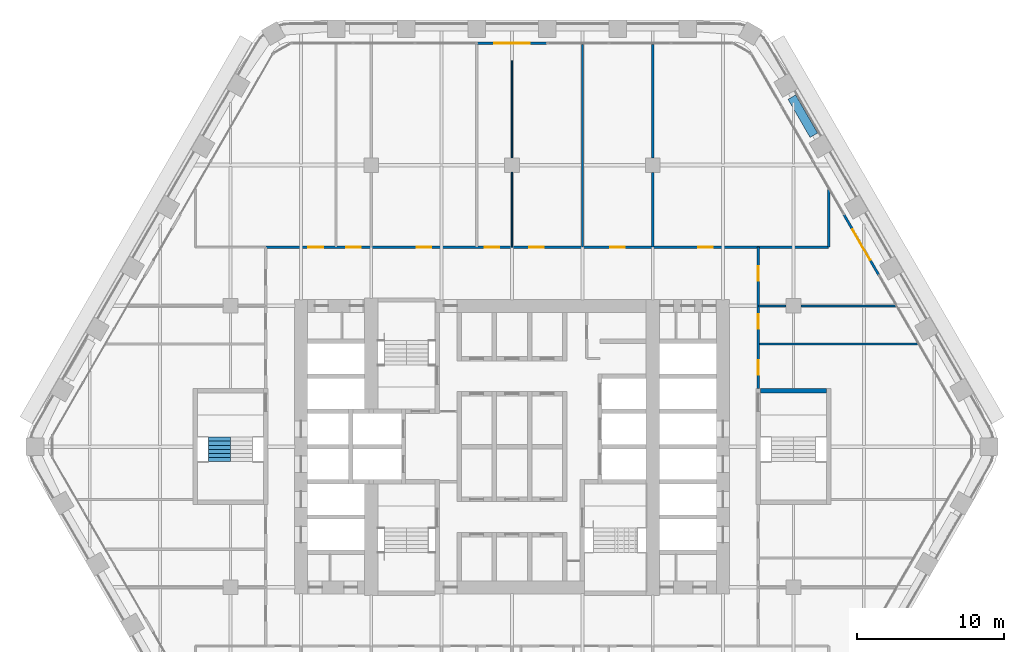
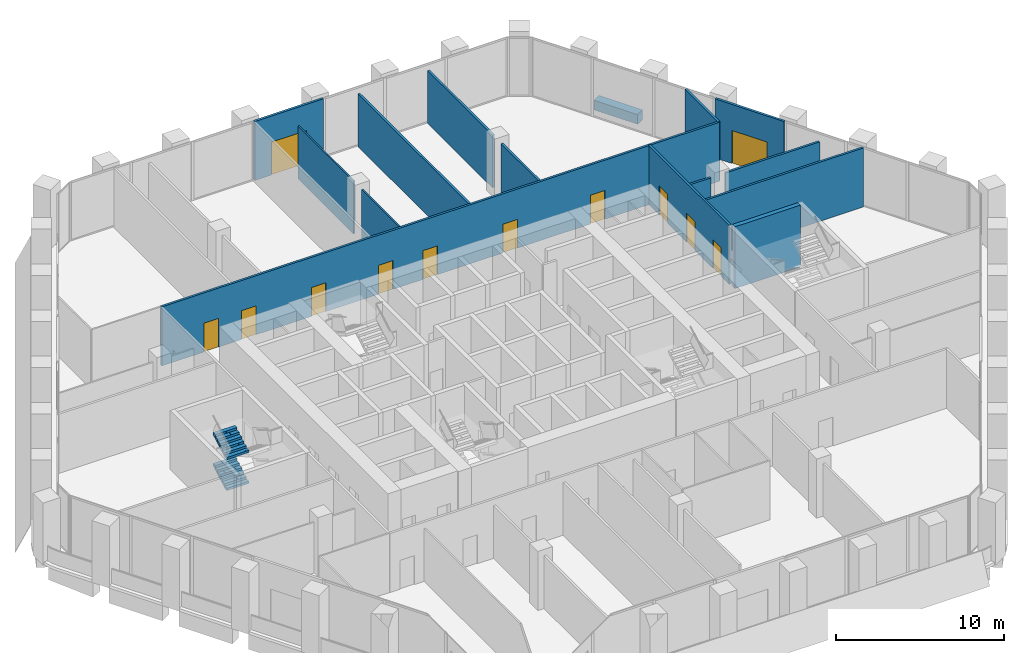
# One storey, part 17 of 23: 15 walls, 12 doors, 2 stair flights, 12 openings, 1 element without a shape of its own.
"""IFC4 building model written with IfcOpenShell, lengths in metres."""

import ifcopenshell
import ifcopenshell.guid

model = None  # the IFC model being written
_history = None  # IfcOwnerHistory: only IFC2X3 demands one
_inside = {}  # id of a spatial element -> (the spatial element, [elements in it])
_under = {}  # id of a project, library or spatial element -> (it, [spatial elements below it])
_declared = {}  # id of a project -> (the project, [libraries it declares])
_typed = {}  # id of a type object -> (the type object, [elements of that type])
_made_of = {}  # id of a material, layer set ... -> (it, [elements and type objects made of it])


def new_model(schema):
    """Start an empty IFC model of exactly this schema.

    Asked for "IFC4X3", IfcOpenShell would pick the latest addendum, in which some entities
    have other attributes; the version numbers below select the first issue.
    IFC2X3 requires an IfcOwnerHistory on every rooted entity: one is made here for all.
    """
    global model, _history
    if schema == "IFC4X3":
        model = ifcopenshell.file(schema_version=(4, 3, 0, 0))
    else:
        model = ifcopenshell.file(schema=schema)
    _inside.clear()
    _under.clear()
    _declared.clear()
    _typed.clear()
    _made_of.clear()
    _history = None
    if model.schema == "IFC2X3":
        org = make("IfcOrganization", Name="unknown")
        user = make(
            "IfcPersonAndOrganization",
            ThePerson=make("IfcPerson", FamilyName="unknown"),
            TheOrganization=org,
        )
        app = make(
            "IfcApplication",
            ApplicationDeveloper=org,
            Version="unknown",
            ApplicationFullName="unknown",
            ApplicationIdentifier="unknown",
        )
        _history = make(
            "IfcOwnerHistory",
            OwningUser=user,
            OwningApplication=app,
            ChangeAction="ADDED",
            CreationDate=0,
        )
    return model


def make(cls, **values):
    """One entity of the class cls with the attributes given. An attribute that is None is left unset."""
    return model.create_entity(
        cls, **{name: value for name, value in values.items() if value is not None}
    )


def rooted(cls, **values):
    """An entity with a GlobalId (a new one), such as an element, a storey or a relation."""
    return make(cls, GlobalId=ifcopenshell.guid.new(), OwnerHistory=_history, **values)


def si_unit(unit_type, name, prefix=None):
    """IfcSIUnit, for example si_unit("LENGTHUNIT", "METRE", prefix="MILLI")."""
    return make("IfcSIUnit", UnitType=unit_type, Prefix=prefix, Name=name)


def assignment(units):
    """IfcUnitAssignment: the units of a project."""
    return None if units is None else make("IfcUnitAssignment", Units=units)


def point(xyz):
    """IfcCartesianPoint."""
    return None if xyz is None else make("IfcCartesianPoint", Coordinates=xyz)


def direction(xyz):
    """IfcDirection."""
    return None if xyz is None else make("IfcDirection", DirectionRatios=xyz)


def frame(location, z_axis=None, x_axis=None):
    """IfcAxis2Placement3D, a coordinate frame: its origin and axes. An axis left out is left unset."""
    return make(
        "IfcAxis2Placement3D",
        Location=point(location),
        Axis=direction(z_axis),
        RefDirection=direction(x_axis),
    )


def frame_2d(location, x_axis=None):
    """IfcAxis2Placement2D, a coordinate frame in the plane: its origin and x axis."""
    return make(
        "IfcAxis2Placement2D", Location=point(location), RefDirection=direction(x_axis)
    )


def origin():
    """The frame at (0, 0, 0) with its axes left unset."""
    return frame((0.0, 0.0, 0.0))


def place(relative_to, where):
    """IfcLocalPlacement: puts the frame where relative to a parent placement (None: the world)."""
    return make(
        "IfcLocalPlacement", PlacementRelTo=relative_to, RelativePlacement=where
    )


def context(
    kind, dimensions, precision=None, world=None, true_north=None, identifier=None
):
    """IfcGeometricRepresentationContext, for example the 3D "Model" context."""
    return make(
        "IfcGeometricRepresentationContext",
        ContextIdentifier=identifier,
        ContextType=kind,
        CoordinateSpaceDimension=dimensions,
        Precision=precision,
        WorldCoordinateSystem=world,
        TrueNorth=true_north,
    )


def subcontext(parent, identifier, kind, view, scale=None):
    """IfcGeometricRepresentationSubContext, for example "Body" below "Model"."""
    return make(
        "IfcGeometricRepresentationSubContext",
        ContextIdentifier=identifier,
        ContextType=kind,
        ParentContext=parent,
        TargetScale=scale,
        TargetView=view,
    )


def project(units=None, contexts=None):
    """IfcProject with its units and contexts."""
    return rooted(
        "IfcProject",
        Name="project",
        RepresentationContexts=contexts,
        UnitsInContext=assignment(units),
    )


def spatial(cls, under=None, at=None, **own):
    """A site, building, storey or space (cls), placed at a placement, below another one or the project."""
    s = rooted(cls, ObjectPlacement=at, **own)
    if under is not None:
        _under.setdefault(under.id(), (under, []))[1].append(s)
    return s


def polyline(points):
    """IfcPolyline through the points."""
    return make("IfcPolyline", Points=[point(p) for p in points])


def profile(cls, at=None, kind="AREA", **sizes):
    """A parametric profile (cls). Its sizes go by their IFC names, for example OverallWidth=200.0."""
    return make(cls, ProfileType=kind, Position=at, **sizes)


def rectangle(**sizes):
    """IfcRectangleProfileDef."""
    return profile("IfcRectangleProfileDef", **sizes)


def outline(outer, holes=None, kind="AREA"):
    """IfcArbitraryClosedProfileDef: a profile drawn as a closed curve; with holes, ...WithVoids."""
    if holes is None:
        return make("IfcArbitraryClosedProfileDef", ProfileType=kind, OuterCurve=outer)
    return make(
        "IfcArbitraryProfileDefWithVoids",
        ProfileType=kind,
        OuterCurve=outer,
        InnerCurves=holes,
    )


def extrude(swept, where, along, depth):
    """IfcExtrudedAreaSolid: the profile swept, set in the frame where, extruded along a direction by depth."""
    return make(
        "IfcExtrudedAreaSolid",
        SweptArea=swept,
        Position=where,
        ExtrudedDirection=direction(along),
        Depth=depth,
    )


def shape(context_of_items, identifier, shape_type, items):
    """IfcShapeRepresentation: the items that make up one representation, for example the "Body"."""
    return make(
        "IfcShapeRepresentation",
        ContextOfItems=context_of_items,
        RepresentationIdentifier=identifier,
        RepresentationType=shape_type,
        Items=items,
    )


def material(Name=None, Category=None):
    """IfcMaterial."""
    return make("IfcMaterial", Name=Name, Category=Category)


def layer(
    of_material, thickness, ventilated=None, Name=None, Category=None, Priority=None
):
    """IfcMaterialLayer: one layer of a wall or slab, of a material (None: an air gap)."""
    return make(
        "IfcMaterialLayer",
        Material=of_material,
        LayerThickness=thickness,
        IsVentilated=ventilated,
        Name=Name,
        Category=Category,
        Priority=Priority,
    )


def layer_set(layers, Name=None):
    """IfcMaterialLayerSet."""
    return make("IfcMaterialLayerSet", MaterialLayers=layers, LayerSetName=Name)


def made_of(thing, what):
    """Note that an element or type object is made of a material, layer set ...; save() writes the relation."""
    if what is not None:
        _made_of.setdefault(what.id(), (what, []))[1].append(thing)
    return thing


def type_object(cls, material=None, **own):
    """A type object (cls), such as IfcWallType, which elements share."""
    return made_of(rooted(cls, **own), material)


def element(
    cls,
    number,
    at=None,
    inside=None,
    cuts=None,
    type_object=None,
    material=None,
    context=None,
    identifier="Body",
    shape_type=None,
    held_by="IfcProductDefinitionShape",
    body=None,
    shapes=None,
    **own,
):
    """One element of the class cls, such as IfcWall. Its Tag is "e" and its number.

    at: its placement. inside: the storey or other place that contains it. cuts: it is an
    opening in that element (IfcRelVoidsElement). A single representation is given by context,
    identifier, shape_type and body (its items); several are given by shapes. held_by: the class
    of the entity that holds the representations. save() writes the other relations.
    """
    e = rooted(cls, Tag="e%d" % number, ObjectPlacement=at, **own)
    if body is not None:
        shapes = [shape(context, identifier, shape_type, body)]
    if shapes is not None:
        e.Representation = make(held_by, Representations=shapes)
    if inside is not None:
        _inside.setdefault(inside.id(), (inside, []))[1].append(e)
    if cuts is not None:
        rooted(
            "IfcRelVoidsElement", RelatingBuildingElement=cuts, RelatedOpeningElement=e
        )
    if type_object is not None:
        _typed.setdefault(type_object.id(), (type_object, []))[1].append(e)
    return made_of(e, material)


def fill(opening, filler):
    """IfcRelFillsElement: the door or window that sits in an opening."""
    return rooted(
        "IfcRelFillsElement",
        RelatingOpeningElement=opening,
        RelatedBuildingElement=filler,
    )


def aggregate(whole, parts):
    """IfcRelAggregates: a whole, such as a stair, and the parts it consists of."""
    return rooted("IfcRelAggregates", RelatingObject=whole, RelatedObjects=parts)


def save(model, path):
    """Write the relations noted so far, then the file.

    IfcRelAggregates (storeys below a building ...), IfcRelContainedInSpatialStructure (elements
    in a storey), IfcRelDefinesByType, IfcRelAssociatesMaterial and IfcRelDeclares: one each for
    every whole, place, type object, material and project.
    """
    for whole, parts in _under.values():
        aggregate(whole, parts)
    for where, things in _inside.values():
        rooted(
            "IfcRelContainedInSpatialStructure",
            RelatedElements=things,
            RelatingStructure=where,
        )
    for kind, things in _typed.values():
        rooted("IfcRelDefinesByType", RelatedObjects=things, RelatingType=kind)
    for what, things in _made_of.values():
        rooted("IfcRelAssociatesMaterial", RelatedObjects=things, RelatingMaterial=what)
    for by, libraries in _declared.values():
        rooted("IfcRelDeclares", RelatingContext=by, RelatedDefinitions=libraries)
    model.write(path)


model = new_model("IFC4")

# Units and contexts
model_context = context("Model", 3, precision=1e-05, world=origin(), true_north=direction((0.0, 1.0)))
body_context = subcontext(model_context, "Body", "Model", "MODEL_VIEW")
ifc_project = project(units=[si_unit("LENGTHUNIT", "METRE"), si_unit("AREAUNIT", "SQUARE_METRE"), si_unit("VOLUMEUNIT", "CUBIC_METRE"), si_unit("PLANEANGLEUNIT", "RADIAN"), si_unit("MASSUNIT", "GRAM", prefix="KILO")], contexts=[model_context])

# Site, building, storey
site_placement = place(None, origin())
site = spatial("IfcSite", under=ifc_project, at=site_placement, CompositionType="ELEMENT")
building_placement = place(site_placement, origin())
building = spatial("IfcBuilding", under=site, at=building_placement, Name="Kolab Exchange Tower", CompositionType="ELEMENT")
storey_placement = place(building_placement, frame((0.0, 0.0, 95.89990234375)))
storey = spatial("IfcBuildingStorey", under=building, at=storey_placement, Name="L18", CompositionType="ELEMENT", Elevation=95.89990234375)

# Wall, opening, door
ifc_material_1 = material(Name="Aluminium EN AW-6063 T6", Category="aluminium")
ifc_layer_1 = layer(ifc_material_1, 0.159912109375)
ifc_layer_set_1 = layer_set([ifc_layer_1], Name="Aluminium EN AW-6063 T6")
wall_type_1 = type_object("IfcWallType", Name="DOOR SURROUND WALL 160 ALUMINIUM FRAMED", PredefinedType="PARTITIONING", material=ifc_layer_set_1)
wall_1_placement = place(storey_placement, frame((-2.3701171875, 27.5185546875, 0.0), z_axis=(0.0, 0.0, 1.0), x_axis=(1.0, 0.0, 0.0)))
wall_1 = element("IfcWall", 1, at=wall_1_placement, inside=storey, type_object=wall_type_1, Name="Door surround wall", PredefinedType="PARTITIONING", context=body_context, shape_type="SweptSolid", body=[
    extrude(rectangle(XDim=4.740234375, YDim=0.159912109375, at=frame_2d((2.3701171875, 0.0))), origin(), (0.0, 0.0, 1.0), 4.300048828125),
])
opening_1_placement = place(wall_1_placement, frame((1.169921875, 0.0, 0.0)))
opening_1 = element("IfcOpeningElement", 2, at=opening_1_placement, cuts=wall_1, Name="Opening GD1-034", PredefinedType="OPENING", context=body_context, shape_type="SweptSolid", body=[
    extrude(rectangle(XDim=2.39990234375, YDim=2.39990234375, at=frame_2d((1.199951171875, 1.199951171875))), frame((0.0, 0.08984375, 0.0), z_axis=(0.0, -1.0, 0.0), x_axis=(1.0, 0.0, 0.0)), (0.0, 0.0, 1.0), 0.179931640625),
])
door_type_1 = type_object("IfcDoorType", Name="LOGGIA SLIDING GLASS DOOR 2400 X 2400", OperationType="DOUBLE_DOOR_SINGLE_SWING", PredefinedType="DOOR", material=ifc_material_1)
door_1_placement = place(opening_1_placement, origin())
door_1 = element("IfcDoor", 3, at=door_1_placement, inside=storey, type_object=door_type_1, Name="Loggia door", OperationType="DOUBLE_DOOR_SLIDING", OverallHeight=2.39990234375, OverallWidth=2.39990234375, PredefinedType="DOOR", context=body_context, shape_type="SweptSolid", body=[
    extrude(rectangle(XDim=2.39990234375, YDim=2.39990234375, at=frame_2d((1.199951171875, 1.199951171875))), frame((0.0, 0.02490234375, 0.0), z_axis=(0.0, -1.0, 0.0), x_axis=(1.0, 0.0, 0.0)), (0.0, 0.0, 1.0), 0.050048828125),
])
fill(opening_1, door_1)

wall_2_placement = place(storey_placement, frame((22.646728515625, 15.811767578125, 0.0), z_axis=(0.0, 0.0, 1.0), x_axis=(0.499978080042, -0.866038058908, 0.0)))
wall_2 = element("IfcWall", 4, at=wall_2_placement, inside=storey, type_object=wall_type_1, Name="Door surround wall", PredefinedType="PARTITIONING", context=body_context, shape_type="SweptSolid", body=[
    extrude(rectangle(XDim=4.739990234375, YDim=0.159912109375, at=frame_2d((2.3701171875, 0.0))), origin(), (0.0, 0.0, 1.0), 4.300048828125),
])
opening_2_placement = place(wall_2_placement, frame((1.169921875, 0.0, 0.0)))
opening_2 = element("IfcOpeningElement", 5, at=opening_2_placement, cuts=wall_2, Name="Opening GD1-035", PredefinedType="OPENING", context=body_context, shape_type="SweptSolid", body=[
    extrude(rectangle(XDim=2.39990234375, YDim=2.39990234375, at=frame_2d((1.199951171875, 1.199951171875))), frame((0.0, 0.08984375, 0.0), z_axis=(0.0, -1.0, 0.0), x_axis=(1.0, 0.0, 0.0)), (0.0, 0.0, 1.0), 0.179931640625),
])
door_2_placement = place(opening_2_placement, origin())
door_2 = element("IfcDoor", 6, at=door_2_placement, inside=storey, type_object=door_type_1, Name="Loggia door", OperationType="DOUBLE_DOOR_SLIDING", OverallHeight=2.39990234375, OverallWidth=2.39990234375, PredefinedType="DOOR", context=body_context, shape_type="SweptSolid", body=[
    extrude(rectangle(XDim=2.39990234375, YDim=2.39990234375, at=frame_2d((1.199951171875, 1.199951171875))), frame((0.0, 0.02490234375, 0.0), z_axis=(0.0, -1.0, 0.0), x_axis=(1.0, 0.0, 0.0)), (0.0, 0.0, 1.0), 0.050048828125),
])
fill(opening_2, door_2)

# Walls
ifc_material_2 = material(Name="Gypsum board", Category="gypsum")
ifc_layer_2 = layer(ifc_material_2, 0.10009765625)
ifc_layer_set_2 = layer_set([ifc_layer_2], Name="Gypsum board")
wall_type_2 = type_object("IfcWallType", Name="PARTITION 100", PredefinedType="PARTITIONING", material=ifc_layer_set_2)
wall_3_placement = place(storey_placement, frame((0.0, 13.60009765625, 0.0), z_axis=(0.0, 0.0, 1.0), x_axis=(0.0, 1.0, 0.0)))
element("IfcWall", 7, at=wall_3_placement, inside=storey, type_object=wall_type_2, Name="Partition 016", PredefinedType="PARTITIONING", context=body_context, shape_type="SweptSolid", body=[
    extrude(rectangle(XDim=5.099853515625, YDim=0.10009765625, at=frame_2d((2.5498046875, 0.0))), origin(), (0.0, 0.0, 1.0), 3.843017578125),
])
wall_4_placement = place(storey_placement, frame((0.0, 19.699951171875, 0.0), z_axis=(0.0, 0.0, 1.0), x_axis=(0.0, 1.0, 0.0)))
element("IfcWall", 8, at=wall_4_placement, inside=storey, type_object=wall_type_2, Name="Partition 017", PredefinedType="PARTITIONING", context=body_context, shape_type="SweptSolid", body=[
    extrude(rectangle(XDim=6.61865234375, YDim=0.10009765625, at=frame_2d((3.309326171875, 0.0))), origin(), (0.0, 0.0, 1.0), 3.843017578125),
])
ifc_layer_3 = layer(ifc_material_2, 0.14990234375)
ifc_layer_set_3 = layer_set([ifc_layer_3], Name="Gypsum board")
wall_type_3 = type_object("IfcWallType", Name="PARTITION 150 FIRE-RATED", PredefinedType="PARTITIONING", material=ifc_layer_set_3)
wall_5_placement = place(storey_placement, frame((21.60009765625, 13.60009765625, 0.0), z_axis=(0.0, 0.0, 1.0), x_axis=(0.0, 1.0, 0.0)))
element("IfcWall", 9, at=wall_5_placement, inside=storey, type_object=wall_type_3, Name="Partition 001", PredefinedType="PARTITIONING", context=body_context, shape_type="SweptSolid", body=[
    extrude(rectangle(XDim=3.944580078125, YDim=0.14990234375, at=frame_2d((1.97216796875, 0.0))), origin(), (0.0, 0.0, 1.0), 4.300048828125),
])

# Wall, openings, doors
wall_6_placement = place(storey_placement, frame((16.800048828125, 3.949951171875, 0.0), z_axis=(0.0, 0.0, 1.0), x_axis=(0.0, 1.0, 0.0)))
wall_6 = element("IfcWall", 10, at=wall_6_placement, inside=storey, type_object=wall_type_3, Name="Partition 003", PredefinedType="PARTITIONING", context=body_context, shape_type="SweptSolid", body=[
    extrude(rectangle(XDim=9.650146484375, YDim=0.14990234375, at=frame_2d((4.8251953125, 0.0))), origin(), (0.0, 0.0, 1.0), 4.300048828125),
])
opening_3_placement = place(wall_6_placement, frame((0.949951171875, 0.0, 0.0)))
opening_3 = element("IfcOpeningElement", 11, at=opening_3_placement, cuts=wall_6, Name="Opening D1-273", PredefinedType="OPENING", context=body_context, shape_type="SweptSolid", body=[
    extrude(rectangle(XDim=1.0, YDim=2.10009765625, at=frame_2d((0.5, 1.050048828125))), frame((0.0, 0.0849609375, 0.0), z_axis=(0.0, -1.0, 0.0), x_axis=(1.0, 0.0, 0.0)), (0.0, 0.0, 1.0), 0.169921875),
])
opening_4_placement = place(wall_6_placement, frame((4.094970703125, 0.0, 0.0)))
opening_4 = element("IfcOpeningElement", 12, at=opening_4_placement, cuts=wall_6, Name="Opening D1-274", PredefinedType="OPENING", context=body_context, shape_type="SweptSolid", body=[
    extrude(rectangle(XDim=1.0, YDim=2.10009765625, at=frame_2d((0.5, 1.050048828125))), frame((0.0, 0.0849609375, 0.0), z_axis=(0.0, -1.0, 0.0), x_axis=(1.0, 0.0, 0.0)), (0.0, 0.0, 1.0), 0.169921875),
])
opening_5_placement = place(wall_6_placement, frame((7.35009765625, 0.0, 0.0)))
opening_5 = element("IfcOpeningElement", 13, at=opening_5_placement, cuts=wall_6, Name="Opening D1-275", PredefinedType="OPENING", context=body_context, shape_type="SweptSolid", body=[
    extrude(rectangle(XDim=1.0, YDim=2.10009765625, at=frame_2d((0.5, 1.050048828125))), frame((0.0, 0.0849609375, 0.0), z_axis=(0.0, -1.0, 0.0), x_axis=(1.0, 0.0, 0.0)), (0.0, 0.0, 1.0), 0.169921875),
])
ifc_material_3 = material(Name="Steel S235", Category="steel")
door_type_2 = type_object("IfcDoorType", Name="FLUSH DOOR 1000 FD60", OperationType="SINGLE_SWING_LEFT", PredefinedType="DOOR", material=ifc_material_3)
door_3_placement = place(opening_3_placement, frame((1.0, 0.0, 0.0), z_axis=(0.0, 0.0, 1.0), x_axis=(-1.0, 0.0, 0.0)))
door_3 = element("IfcDoor", 14, at=door_3_placement, inside=storey, type_object=door_type_2, Name="Door L18-067", OperationType="SINGLE_SWING_RIGHT", OverallHeight=2.10009765625, OverallWidth=1.0, PredefinedType="DOOR", context=body_context, shape_type="SweptSolid", body=[
    extrude(rectangle(XDim=1.0, YDim=2.10009765625, at=frame_2d((0.5, 1.050048828125))), frame((0.0, 0.02490234375, 0.0), z_axis=(0.0, -1.0, 0.0), x_axis=(1.0, 0.0, 0.0)), (0.0, 0.0, 1.0), 0.050048828125),
])
fill(opening_3, door_3)
door_4_placement = place(opening_4_placement, frame((1.0, 0.0, 0.0), z_axis=(0.0, 0.0, 1.0), x_axis=(-1.0, 0.0, 0.0)))
door_4 = element("IfcDoor", 15, at=door_4_placement, inside=storey, type_object=door_type_2, Name="Door L18-068", OperationType="SINGLE_SWING_RIGHT", OverallHeight=2.10009765625, OverallWidth=1.0, PredefinedType="DOOR", context=body_context, shape_type="SweptSolid", body=[
    extrude(rectangle(XDim=1.0, YDim=2.10009765625, at=frame_2d((0.5, 1.050048828125))), frame((0.0, 0.02490234375, 0.0), z_axis=(0.0, -1.0, 0.0), x_axis=(1.0, 0.0, 0.0)), (0.0, 0.0, 1.0), 0.050048828125),
])
fill(opening_4, door_4)
door_5_placement = place(opening_5_placement, frame((1.0, 0.0, 0.0), z_axis=(0.0, 0.0, 1.0), x_axis=(-1.0, 0.0, 0.0)))
door_5 = element("IfcDoor", 16, at=door_5_placement, inside=storey, type_object=door_type_2, Name="Door L18-069", OperationType="SINGLE_SWING_RIGHT", OverallHeight=2.10009765625, OverallWidth=1.0, PredefinedType="DOOR", context=body_context, shape_type="SweptSolid", body=[
    extrude(rectangle(XDim=1.0, YDim=2.10009765625, at=frame_2d((0.5, 1.050048828125))), frame((0.0, 0.02490234375, 0.0), z_axis=(0.0, -1.0, 0.0), x_axis=(1.0, 0.0, 0.0)), (0.0, 0.0, 1.0), 0.050048828125),
])
fill(opening_5, door_5)

# Walls
wall_7_placement = place(storey_placement, frame((9.60009765625, 13.60009765625, 0.0), z_axis=(0.0, 0.0, 1.0), x_axis=(0.0, 1.0, 0.0)))
element("IfcWall", 17, at=wall_7_placement, inside=storey, type_object=wall_type_3, Name="Partition 009", PredefinedType="PARTITIONING", context=body_context, shape_type="SweptSolid", body=[
    extrude(rectangle(XDim=5.099853515625, YDim=0.14990234375, at=frame_2d((2.5498046875, 0.0))), origin(), (0.0, 0.0, 1.0), 3.843017578125),
])
wall_8_placement = place(storey_placement, frame((9.60009765625, 19.699951171875, 0.0), z_axis=(0.0, 0.0, 1.0), x_axis=(0.0, 1.0, 0.0)))
element("IfcWall", 18, at=wall_8_placement, inside=storey, type_object=wall_type_3, Name="Partition 010", PredefinedType="PARTITIONING", context=body_context, shape_type="SweptSolid", body=[
    extrude(rectangle(XDim=7.728515625, YDim=0.14990234375, at=frame_2d((3.8642578125, 0.0))), origin(), (0.0, 0.0, 1.0), 3.843017578125),
])
wall_9_placement = place(storey_placement, frame((4.800048828125, 13.60009765625, 0.0), z_axis=(0.0, 0.0, 1.0), x_axis=(0.0, 1.0, 0.0)))
element("IfcWall", 19, at=wall_9_placement, inside=storey, type_object=wall_type_3, Name="Partition 013", PredefinedType="PARTITIONING", context=body_context, shape_type="SweptSolid", body=[
    extrude(rectangle(XDim=13.828369140625, YDim=0.14990234375, at=frame_2d((6.9140625, 0.0))), origin(), (0.0, 0.0, 1.0), 3.843017578125),
])
wall_10_placement = place(storey_placement, frame((16.800048828125, 7.0, 0.0), z_axis=(0.0, 0.0, 1.0), x_axis=(1.0, 0.0, 0.0)))
element("IfcWall", 20, at=wall_10_placement, inside=storey, type_object=wall_type_3, Name="Partition 049", PredefinedType="PARTITIONING", context=body_context, shape_type="SweptSolid", body=[
    extrude(rectangle(XDim=10.887939453125, YDim=0.14990234375, at=frame_2d((5.44384765625, 0.0))), origin(), (0.0, 0.0, 1.0), 4.300048828125),
])
wall_11_placement = place(storey_placement, frame((16.800048828125, 9.60009765625, 0.0), z_axis=(0.0, 0.0, 1.0), x_axis=(1.0, 0.0, 0.0)))
element("IfcWall", 21, at=wall_11_placement, inside=storey, type_object=wall_type_3, Name="Partition 052", PredefinedType="PARTITIONING", context=body_context, shape_type="SweptSolid", body=[
    extrude(rectangle(XDim=1.89990234375, YDim=0.14990234375, at=frame_2d((0.949951171875, 0.0))), origin(), (0.0, 0.0, 1.0), 3.692138671875),
])
wall_12_placement = place(storey_placement, frame((19.699951171875, 9.60009765625, 0.0), z_axis=(0.0, 0.0, 1.0), x_axis=(1.0, 0.0, 0.0)))
element("IfcWall", 22, at=wall_12_placement, inside=storey, type_object=wall_type_3, Name="Partition 053", PredefinedType="PARTITIONING", context=body_context, shape_type="SweptSolid", body=[
    extrude(rectangle(XDim=6.48681640625, YDim=0.14990234375, at=frame_2d((3.243408203125, 0.0))), origin(), (0.0, 0.0, 1.0), 3.692138671875),
])

# Wall, openings, doors
wall_13_placement = place(storey_placement, frame((-16.800048828125, 13.60009765625, 0.0), z_axis=(0.0, 0.0, 1.0), x_axis=(1.0, 0.0, 0.0)))
wall_13 = element("IfcWall", 23, at=wall_13_placement, inside=storey, type_object=wall_type_3, Name="Partition 055", PredefinedType="PARTITIONING", context=body_context, shape_type="SweptSolid", body=[
    extrude(rectangle(XDim=38.400146484375, YDim=0.14990234375, at=frame_2d((19.2001953125, 0.0))), origin(), (0.0, 0.0, 1.0), 4.300048828125),
])
opening_6_placement = place(wall_13_placement, frame((2.9150390625, 0.0, 0.0)))
opening_6 = element("IfcOpeningElement", 24, at=opening_6_placement, cuts=wall_13, Name="Opening D1-256", PredefinedType="OPENING", context=body_context, shape_type="SweptSolid", body=[
    extrude(rectangle(XDim=1.0, YDim=2.10009765625, at=frame_2d((0.5, 1.050048828125))), frame((0.0, 0.0849609375, 0.0), z_axis=(0.0, -1.0, 0.0), x_axis=(1.0, 0.0, 0.0)), (0.0, 0.0, 1.0), 0.169921875),
])
opening_7_placement = place(wall_13_placement, frame((5.5, 0.0, 0.0)))
opening_7 = element("IfcOpeningElement", 25, at=opening_7_placement, cuts=wall_13, Name="Opening D1-257", PredefinedType="OPENING", context=body_context, shape_type="SweptSolid", body=[
    extrude(rectangle(XDim=1.0, YDim=2.10009765625, at=frame_2d((0.5, 1.050048828125))), frame((0.0, 0.0849609375, 0.0), z_axis=(0.0, -1.0, 0.0), x_axis=(1.0, 0.0, 0.0)), (0.0, 0.0, 1.0), 0.169921875),
])
opening_8_placement = place(wall_13_placement, frame((10.300048828125, 0.0, 0.0)))
opening_8 = element("IfcOpeningElement", 26, at=opening_8_placement, cuts=wall_13, Name="Opening D1-258", PredefinedType="OPENING", context=body_context, shape_type="SweptSolid", body=[
    extrude(rectangle(XDim=1.0, YDim=2.10009765625, at=frame_2d((0.5, 1.050048828125))), frame((0.0, 0.0849609375, 0.0), z_axis=(0.0, -1.0, 0.0), x_axis=(1.0, 0.0, 0.0)), (0.0, 0.0, 1.0), 0.169921875),
])
opening_9_placement = place(wall_13_placement, frame((14.925048828125, 0.0, 0.0)))
opening_9 = element("IfcOpeningElement", 27, at=opening_9_placement, cuts=wall_13, Name="Opening D1-259", PredefinedType="OPENING", context=body_context, shape_type="SweptSolid", body=[
    extrude(rectangle(XDim=1.0, YDim=2.10009765625, at=frame_2d((0.5, 1.050048828125))), frame((0.0, 0.0849609375, 0.0), z_axis=(0.0, -1.0, 0.0), x_axis=(1.0, 0.0, 0.0)), (0.0, 0.0, 1.0), 0.169921875),
])
opening_10_placement = place(wall_13_placement, frame((17.97509765625, 0.0, 0.0)))
opening_10 = element("IfcOpeningElement", 28, at=opening_10_placement, cuts=wall_13, Name="Opening D1-260", PredefinedType="OPENING", context=body_context, shape_type="SweptSolid", body=[
    extrude(rectangle(XDim=1.0, YDim=2.10009765625, at=frame_2d((0.5, 1.050048828125))), frame((0.0, 0.0849609375, 0.0), z_axis=(0.0, -1.0, 0.0), x_axis=(1.0, 0.0, 0.0)), (0.0, 0.0, 1.0), 0.169921875),
])
opening_11_placement = place(wall_13_placement, frame((23.5, 0.0, 0.0)))
opening_11 = element("IfcOpeningElement", 29, at=opening_11_placement, cuts=wall_13, Name="Opening D1-261", PredefinedType="OPENING", context=body_context, shape_type="SweptSolid", body=[
    extrude(rectangle(XDim=1.0, YDim=2.10009765625, at=frame_2d((0.5, 1.050048828125))), frame((0.0, 0.0849609375, 0.0), z_axis=(0.0, -1.0, 0.0), x_axis=(1.0, 0.0, 0.0)), (0.0, 0.0, 1.0), 0.169921875),
])
opening_12_placement = place(wall_13_placement, frame((29.5, 0.0, 0.0)))
opening_12 = element("IfcOpeningElement", 30, at=opening_12_placement, cuts=wall_13, Name="Opening D1-262", PredefinedType="OPENING", context=body_context, shape_type="SweptSolid", body=[
    extrude(rectangle(XDim=1.0, YDim=2.10009765625, at=frame_2d((0.5, 1.050048828125))), frame((0.0, 0.0849609375, 0.0), z_axis=(0.0, -1.0, 0.0), x_axis=(1.0, 0.0, 0.0)), (0.0, 0.0, 1.0), 0.169921875),
])
door_6_placement = place(opening_6_placement, origin())
door_6 = element("IfcDoor", 31, at=door_6_placement, inside=storey, type_object=door_type_2, Name="Door L18-050", OperationType="SINGLE_SWING_RIGHT", OverallHeight=2.10009765625, OverallWidth=1.0, PredefinedType="DOOR", context=body_context, shape_type="SweptSolid", body=[
    extrude(rectangle(XDim=1.0, YDim=2.10009765625, at=frame_2d((0.5, 1.050048828125))), frame((0.0, 0.02490234375, 0.0), z_axis=(0.0, -1.0, 0.0), x_axis=(1.0, 0.0, 0.0)), (0.0, 0.0, 1.0), 0.050048828125),
])
fill(opening_6, door_6)
door_7_placement = place(opening_7_placement, origin())
door_7 = element("IfcDoor", 32, at=door_7_placement, inside=storey, type_object=door_type_2, Name="Door L18-051", OperationType="SINGLE_SWING_LEFT", OverallHeight=2.10009765625, OverallWidth=1.0, PredefinedType="DOOR", context=body_context, shape_type="SweptSolid", body=[
    extrude(rectangle(XDim=1.0, YDim=2.10009765625, at=frame_2d((0.5, 1.050048828125))), frame((0.0, 0.02490234375, 0.0), z_axis=(0.0, -1.0, 0.0), x_axis=(1.0, 0.0, 0.0)), (0.0, 0.0, 1.0), 0.050048828125),
])
fill(opening_7, door_7)
door_8_placement = place(opening_8_placement, origin())
door_8 = element("IfcDoor", 33, at=door_8_placement, inside=storey, type_object=door_type_2, Name="Door L18-052", OperationType="SINGLE_SWING_LEFT", OverallHeight=2.10009765625, OverallWidth=1.0, PredefinedType="DOOR", context=body_context, shape_type="SweptSolid", body=[
    extrude(rectangle(XDim=1.0, YDim=2.10009765625, at=frame_2d((0.5, 1.050048828125))), frame((0.0, 0.02490234375, 0.0), z_axis=(0.0, -1.0, 0.0), x_axis=(1.0, 0.0, 0.0)), (0.0, 0.0, 1.0), 0.050048828125),
])
fill(opening_8, door_8)
door_9_placement = place(opening_9_placement, origin())
door_9 = element("IfcDoor", 34, at=door_9_placement, inside=storey, type_object=door_type_2, Name="Door L18-053", OperationType="SINGLE_SWING_LEFT", OverallHeight=2.10009765625, OverallWidth=1.0, PredefinedType="DOOR", context=body_context, shape_type="SweptSolid", body=[
    extrude(rectangle(XDim=1.0, YDim=2.10009765625, at=frame_2d((0.5, 1.050048828125))), frame((0.0, 0.02490234375, 0.0), z_axis=(0.0, -1.0, 0.0), x_axis=(1.0, 0.0, 0.0)), (0.0, 0.0, 1.0), 0.050048828125),
])
fill(opening_9, door_9)
door_10_placement = place(opening_10_placement, origin())
door_10 = element("IfcDoor", 35, at=door_10_placement, inside=storey, type_object=door_type_2, Name="Door L18-054", OperationType="SINGLE_SWING_LEFT", OverallHeight=2.10009765625, OverallWidth=1.0, PredefinedType="DOOR", context=body_context, shape_type="SweptSolid", body=[
    extrude(rectangle(XDim=1.0, YDim=2.10009765625, at=frame_2d((0.5, 1.050048828125))), frame((0.0, 0.02490234375, 0.0), z_axis=(0.0, -1.0, 0.0), x_axis=(1.0, 0.0, 0.0)), (0.0, 0.0, 1.0), 0.050048828125),
])
fill(opening_10, door_10)
door_11_placement = place(opening_11_placement, origin())
door_11 = element("IfcDoor", 36, at=door_11_placement, inside=storey, type_object=door_type_2, Name="Door L18-055", OperationType="SINGLE_SWING_LEFT", OverallHeight=2.10009765625, OverallWidth=1.0, PredefinedType="DOOR", context=body_context, shape_type="SweptSolid", body=[
    extrude(rectangle(XDim=1.0, YDim=2.10009765625, at=frame_2d((0.5, 1.050048828125))), frame((0.0, 0.02490234375, 0.0), z_axis=(0.0, -1.0, 0.0), x_axis=(1.0, 0.0, 0.0)), (0.0, 0.0, 1.0), 0.050048828125),
])
fill(opening_11, door_11)
door_12_placement = place(opening_12_placement, origin())
door_12 = element("IfcDoor", 37, at=door_12_placement, inside=storey, type_object=door_type_2, Name="Door L18-056", OperationType="SINGLE_SWING_LEFT", OverallHeight=2.10009765625, OverallWidth=1.0, PredefinedType="DOOR", context=body_context, shape_type="SweptSolid", body=[
    extrude(rectangle(XDim=1.0, YDim=2.10009765625, at=frame_2d((0.5, 1.050048828125))), frame((0.0, 0.02490234375, 0.0), z_axis=(0.0, -1.0, 0.0), x_axis=(1.0, 0.0, 0.0)), (0.0, 0.0, 1.0), 0.050048828125),
])
fill(opening_12, door_12)

# Walls
ifc_material_4 = material(Name="Granite facing", Category="masonry")
ifc_layer_4 = layer(ifc_material_4, 0.0400390625)
ifc_material_5 = material(Name="Concrete C40/50 precast", Category="concrete")
ifc_layer_5 = layer(ifc_material_5, 0.56005859375)
ifc_layer_set_4 = layer_set([ifc_layer_4, ifc_layer_5], Name="Concrete C40/50 precast")
wall_type_4 = type_object("IfcWallType", Name="PLANTER BOX 600 X 700 SOIL DEPTH 550", PredefinedType="USERDEFINED", material=ifc_layer_set_4)
wall_14_placement = place(storey_placement, frame((19.087158203125, 23.837158203125, 0.0), z_axis=(0.0, 0.0, 1.0), x_axis=(0.499990139034, -0.866031096941, 0.0)))
element("IfcWall", 38, at=wall_14_placement, inside=storey, type_object=wall_type_4, Name="Planter", ObjectType="PLANTER", PredefinedType="USERDEFINED", context=body_context, shape_type="SweptSolid", body=[
    extrude(rectangle(XDim=3.0, YDim=0.60009765625, at=frame_2d((1.5, 0.0))), origin(), (0.0, 0.0, 1.0), 0.7001953125),
])
ifc_material_6 = material(Name="Concrete C50/60", Category="concrete")
ifc_layer_6 = layer(ifc_material_6, 0.300048828125)
ifc_layer_set_5 = layer_set([ifc_layer_6], Name="Concrete C50/60")
wall_type_5 = type_object("IfcWallType", Name="STAIR ENCLOSURE WALL 300 C50/60", PredefinedType="STANDARD", material=ifc_layer_set_5)
wall_15_placement = place(storey_placement, frame((16.949951171875, 3.800048828125, -0.199951171875), z_axis=(0.0, 0.0, 1.0), x_axis=(1.0, 0.0, 0.0)))
element("IfcWall", 39, at=wall_15_placement, inside=storey, type_object=wall_type_5, Name="wall/L18/core/041", PredefinedType="STANDARD", context=body_context, shape_type="SweptSolid", body=[
    extrude(rectangle(XDim=4.5, YDim=0.300048828125, at=frame_2d((2.25, 0.0))), origin(), (0.0, 0.0, 1.0), 4.5),
])

# Stair, stair flights
stair_type = type_object("IfcStairType", Name="STAIR ST5 RISER 160.7", PredefinedType="DOUBLE_RETURN_STAIR", material=ifc_material_6)
stair_placement = place(storey_placement, origin())
stair = element("IfcStair", 40, at=stair_placement, inside=storey, type_object=stair_type, Name="Stair 5", PredefinedType="DOUBLE_RETURN_STAIR")
stair_flight_type = type_object("IfcStairFlightType", Name="STAIR FLIGHT 1500 RISER 160.7", PredefinedType="STRAIGHT", material=ifc_material_6)
stair_flight_1_placement = place(storey_placement, frame((-19.9599609375, -1.030029296875, 1.125), z_axis=(0.0, 0.0, 1.0), x_axis=(0.0, 1.0, 0.0)))
stair_flight_1 = element("IfcStairFlight", 41, at=stair_flight_1_placement, type_object=stair_flight_type, Name="ST5 flight 2", NumberOfRisers=7, NumberOfTreads=6, PredefinedType="STRAIGHT", RiserHeight=0.160714286, TreadLength=0.28, context=body_context, shape_type="SweptSolid", body=[
    extrude(outline(polyline([(0.0, 0.0), (0.0, 0.16064453125), (0.280029296875, 0.16064453125), (0.280029296875, 0.321533203125), (0.56005859375, 0.321533203125), (0.56005859375, 0.482177734375), (0.840087890625, 0.482177734375), (0.840087890625, 0.642822265625), (1.1201171875, 0.642822265625), (1.1201171875, 0.803466796875), (1.39990234375, 0.803466796875), (1.39990234375, 0.96435546875), (1.679931640625, 0.96435546875), (1.679931640625, 1.125), (1.679931640625, 0.79150390625), (0.301025390625, 0.0), (0.0, 0.0)])), frame((0.0, 0.75, 0.0), z_axis=(0.0, -1.0, 0.0), x_axis=(1.0, 0.0, 0.0)), (0.0, 0.0, 1.0), 0.185791015625),
    extrude(outline(polyline([(0.0, 0.0), (0.0, 0.16064453125), (0.280029296875, 0.16064453125), (0.280029296875, 0.321533203125), (0.56005859375, 0.321533203125), (0.56005859375, 0.482177734375), (0.840087890625, 0.482177734375), (0.840087890625, 0.642822265625), (1.1201171875, 0.642822265625), (1.1201171875, 0.803466796875), (1.39990234375, 0.803466796875), (1.39990234375, 0.96435546875), (1.679931640625, 0.96435546875), (1.679931640625, 1.125), (1.679931640625, 0.79150390625), (0.301025390625, 0.0), (0.0, 0.0)])), frame((0.0, 0.562255859375, 0.0), z_axis=(0.0, -1.0, 0.0), x_axis=(1.0, 0.0, 0.0)), (0.0, 0.0, 1.0), 0.185791015625),
    extrude(outline(polyline([(0.0, 0.0), (0.0, 0.16064453125), (0.280029296875, 0.16064453125), (0.280029296875, 0.321533203125), (0.56005859375, 0.321533203125), (0.56005859375, 0.482177734375), (0.840087890625, 0.482177734375), (0.840087890625, 0.642822265625), (1.1201171875, 0.642822265625), (1.1201171875, 0.803466796875), (1.39990234375, 0.803466796875), (1.39990234375, 0.96435546875), (1.679931640625, 0.96435546875), (1.679931640625, 1.125), (1.679931640625, 0.79150390625), (0.301025390625, 0.0), (0.0, 0.0)])), frame((0.0, 0.37451171875, 0.0), z_axis=(0.0, -1.0, 0.0), x_axis=(1.0, 0.0, 0.0)), (0.0, 0.0, 1.0), 0.185791015625),
    extrude(outline(polyline([(0.0, 0.0), (0.0, 0.16064453125), (0.280029296875, 0.16064453125), (0.280029296875, 0.321533203125), (0.56005859375, 0.321533203125), (0.56005859375, 0.482177734375), (0.840087890625, 0.482177734375), (0.840087890625, 0.642822265625), (1.1201171875, 0.642822265625), (1.1201171875, 0.803466796875), (1.39990234375, 0.803466796875), (1.39990234375, 0.96435546875), (1.679931640625, 0.96435546875), (1.679931640625, 1.125), (1.679931640625, 0.79150390625), (0.301025390625, 0.0), (0.0, 0.0)])), frame((0.0, 0.186767578125, 0.0), z_axis=(0.0, -1.0, 0.0), x_axis=(1.0, 0.0, 0.0)), (0.0, 0.0, 1.0), 0.185791015625),
    extrude(outline(polyline([(0.0, 0.0), (0.0, 0.16064453125), (0.280029296875, 0.16064453125), (0.280029296875, 0.321533203125), (0.56005859375, 0.321533203125), (0.56005859375, 0.482177734375), (0.840087890625, 0.482177734375), (0.840087890625, 0.642822265625), (1.1201171875, 0.642822265625), (1.1201171875, 0.803466796875), (1.39990234375, 0.803466796875), (1.39990234375, 0.96435546875), (1.679931640625, 0.96435546875), (1.679931640625, 1.125), (1.679931640625, 0.79150390625), (0.301025390625, 0.0), (0.0, 0.0)])), frame((0.0, -0.0009765625, 0.0), z_axis=(0.0, -1.0, 0.0), x_axis=(1.0, 0.0, 0.0)), (0.0, 0.0, 1.0), 0.185791015625),
    extrude(outline(polyline([(0.0, 0.0), (0.0, 0.16064453125), (0.280029296875, 0.16064453125), (0.280029296875, 0.321533203125), (0.56005859375, 0.321533203125), (0.56005859375, 0.482177734375), (0.840087890625, 0.482177734375), (0.840087890625, 0.642822265625), (1.1201171875, 0.642822265625), (1.1201171875, 0.803466796875), (1.39990234375, 0.803466796875), (1.39990234375, 0.96435546875), (1.679931640625, 0.96435546875), (1.679931640625, 1.125), (1.679931640625, 0.79150390625), (0.301025390625, 0.0), (0.0, 0.0)])), frame((0.0, -0.188720703125, 0.0), z_axis=(0.0, -1.0, 0.0), x_axis=(1.0, 0.0, 0.0)), (0.0, 0.0, 1.0), 0.185791015625),
    extrude(outline(polyline([(0.0, 0.0), (0.0, 0.16064453125), (0.280029296875, 0.16064453125), (0.280029296875, 0.321533203125), (0.56005859375, 0.321533203125), (0.56005859375, 0.482177734375), (0.840087890625, 0.482177734375), (0.840087890625, 0.642822265625), (1.1201171875, 0.642822265625), (1.1201171875, 0.803466796875), (1.39990234375, 0.803466796875), (1.39990234375, 0.96435546875), (1.679931640625, 0.96435546875), (1.679931640625, 1.125), (1.679931640625, 0.79150390625), (0.301025390625, 0.0), (0.0, 0.0)])), frame((0.0, -0.37646484375, 0.0), z_axis=(0.0, -1.0, 0.0), x_axis=(1.0, 0.0, 0.0)), (0.0, 0.0, 1.0), 0.185791015625),
    extrude(outline(polyline([(0.0, 0.0), (0.0, 0.16064453125), (0.280029296875, 0.16064453125), (0.280029296875, 0.321533203125), (0.56005859375, 0.321533203125), (0.56005859375, 0.482177734375), (0.840087890625, 0.482177734375), (0.840087890625, 0.642822265625), (1.1201171875, 0.642822265625), (1.1201171875, 0.803466796875), (1.39990234375, 0.803466796875), (1.39990234375, 0.96435546875), (1.679931640625, 0.96435546875), (1.679931640625, 1.125), (1.679931640625, 0.79150390625), (0.301025390625, 0.0), (0.0, 0.0)])), frame((0.0, -0.564208984375, 0.0), z_axis=(0.0, -1.0, 0.0), x_axis=(1.0, 0.0, 0.0)), (0.0, 0.0, 1.0), 0.185791015625),
])
stair_flight_2_placement = place(storey_placement, frame((-19.9599609375, -1.030029296875, 3.375), z_axis=(0.0, 0.0, 1.0), x_axis=(0.0, 1.0, 0.0)))
stair_flight_2 = element("IfcStairFlight", 42, at=stair_flight_2_placement, type_object=stair_flight_type, Name="ST5 flight 4", NumberOfRisers=7, NumberOfTreads=6, PredefinedType="STRAIGHT", RiserHeight=0.160714286, TreadLength=0.28, context=body_context, shape_type="SweptSolid", body=[
    extrude(outline(polyline([(0.0, 0.0), (0.0, 0.16064453125), (0.280029296875, 0.16064453125), (0.280029296875, 0.321533203125), (0.56005859375, 0.321533203125), (0.56005859375, 0.482177734375), (0.840087890625, 0.482177734375), (0.840087890625, 0.642822265625), (1.1201171875, 0.642822265625), (1.1201171875, 0.803466796875), (1.39990234375, 0.803466796875), (1.39990234375, 0.96435546875), (1.679931640625, 0.96435546875), (1.679931640625, 1.125), (1.679931640625, 0.79150390625), (0.301025390625, 0.0), (0.0, 0.0)])), frame((0.0, 0.75, 0.0), z_axis=(0.0, -1.0, 0.0), x_axis=(1.0, 0.0, 0.0)), (0.0, 0.0, 1.0), 0.185791015625),
    extrude(outline(polyline([(0.0, 0.0), (0.0, 0.16064453125), (0.280029296875, 0.16064453125), (0.280029296875, 0.321533203125), (0.56005859375, 0.321533203125), (0.56005859375, 0.482177734375), (0.840087890625, 0.482177734375), (0.840087890625, 0.642822265625), (1.1201171875, 0.642822265625), (1.1201171875, 0.803466796875), (1.39990234375, 0.803466796875), (1.39990234375, 0.96435546875), (1.679931640625, 0.96435546875), (1.679931640625, 1.125), (1.679931640625, 0.79150390625), (0.301025390625, 0.0), (0.0, 0.0)])), frame((0.0, 0.562255859375, 0.0), z_axis=(0.0, -1.0, 0.0), x_axis=(1.0, 0.0, 0.0)), (0.0, 0.0, 1.0), 0.185791015625),
    extrude(outline(polyline([(0.0, 0.0), (0.0, 0.16064453125), (0.280029296875, 0.16064453125), (0.280029296875, 0.321533203125), (0.56005859375, 0.321533203125), (0.56005859375, 0.482177734375), (0.840087890625, 0.482177734375), (0.840087890625, 0.642822265625), (1.1201171875, 0.642822265625), (1.1201171875, 0.803466796875), (1.39990234375, 0.803466796875), (1.39990234375, 0.96435546875), (1.679931640625, 0.96435546875), (1.679931640625, 1.125), (1.679931640625, 0.79150390625), (0.301025390625, 0.0), (0.0, 0.0)])), frame((0.0, 0.37451171875, 0.0), z_axis=(0.0, -1.0, 0.0), x_axis=(1.0, 0.0, 0.0)), (0.0, 0.0, 1.0), 0.185791015625),
    extrude(outline(polyline([(0.0, 0.0), (0.0, 0.16064453125), (0.280029296875, 0.16064453125), (0.280029296875, 0.321533203125), (0.56005859375, 0.321533203125), (0.56005859375, 0.482177734375), (0.840087890625, 0.482177734375), (0.840087890625, 0.642822265625), (1.1201171875, 0.642822265625), (1.1201171875, 0.803466796875), (1.39990234375, 0.803466796875), (1.39990234375, 0.96435546875), (1.679931640625, 0.96435546875), (1.679931640625, 1.125), (1.679931640625, 0.79150390625), (0.301025390625, 0.0), (0.0, 0.0)])), frame((0.0, 0.186767578125, 0.0), z_axis=(0.0, -1.0, 0.0), x_axis=(1.0, 0.0, 0.0)), (0.0, 0.0, 1.0), 0.185791015625),
    extrude(outline(polyline([(0.0, 0.0), (0.0, 0.16064453125), (0.280029296875, 0.16064453125), (0.280029296875, 0.321533203125), (0.56005859375, 0.321533203125), (0.56005859375, 0.482177734375), (0.840087890625, 0.482177734375), (0.840087890625, 0.642822265625), (1.1201171875, 0.642822265625), (1.1201171875, 0.803466796875), (1.39990234375, 0.803466796875), (1.39990234375, 0.96435546875), (1.679931640625, 0.96435546875), (1.679931640625, 1.125), (1.679931640625, 0.79150390625), (0.301025390625, 0.0), (0.0, 0.0)])), frame((0.0, -0.0009765625, 0.0), z_axis=(0.0, -1.0, 0.0), x_axis=(1.0, 0.0, 0.0)), (0.0, 0.0, 1.0), 0.185791015625),
    extrude(outline(polyline([(0.0, 0.0), (0.0, 0.16064453125), (0.280029296875, 0.16064453125), (0.280029296875, 0.321533203125), (0.56005859375, 0.321533203125), (0.56005859375, 0.482177734375), (0.840087890625, 0.482177734375), (0.840087890625, 0.642822265625), (1.1201171875, 0.642822265625), (1.1201171875, 0.803466796875), (1.39990234375, 0.803466796875), (1.39990234375, 0.96435546875), (1.679931640625, 0.96435546875), (1.679931640625, 1.125), (1.679931640625, 0.79150390625), (0.301025390625, 0.0), (0.0, 0.0)])), frame((0.0, -0.188720703125, 0.0), z_axis=(0.0, -1.0, 0.0), x_axis=(1.0, 0.0, 0.0)), (0.0, 0.0, 1.0), 0.185791015625),
    extrude(outline(polyline([(0.0, 0.0), (0.0, 0.16064453125), (0.280029296875, 0.16064453125), (0.280029296875, 0.321533203125), (0.56005859375, 0.321533203125), (0.56005859375, 0.482177734375), (0.840087890625, 0.482177734375), (0.840087890625, 0.642822265625), (1.1201171875, 0.642822265625), (1.1201171875, 0.803466796875), (1.39990234375, 0.803466796875), (1.39990234375, 0.96435546875), (1.679931640625, 0.96435546875), (1.679931640625, 1.125), (1.679931640625, 0.79150390625), (0.301025390625, 0.0), (0.0, 0.0)])), frame((0.0, -0.37646484375, 0.0), z_axis=(0.0, -1.0, 0.0), x_axis=(1.0, 0.0, 0.0)), (0.0, 0.0, 1.0), 0.185791015625),
    extrude(outline(polyline([(0.0, 0.0), (0.0, 0.16064453125), (0.280029296875, 0.16064453125), (0.280029296875, 0.321533203125), (0.56005859375, 0.321533203125), (0.56005859375, 0.482177734375), (0.840087890625, 0.482177734375), (0.840087890625, 0.642822265625), (1.1201171875, 0.642822265625), (1.1201171875, 0.803466796875), (1.39990234375, 0.803466796875), (1.39990234375, 0.96435546875), (1.679931640625, 0.96435546875), (1.679931640625, 1.125), (1.679931640625, 0.79150390625), (0.301025390625, 0.0), (0.0, 0.0)])), frame((0.0, -0.564208984375, 0.0), z_axis=(0.0, -1.0, 0.0), x_axis=(1.0, 0.0, 0.0)), (0.0, 0.0, 1.0), 0.185791015625),
])
aggregate(stair, [stair_flight_1, stair_flight_2])

save(model, "model.ifc")
